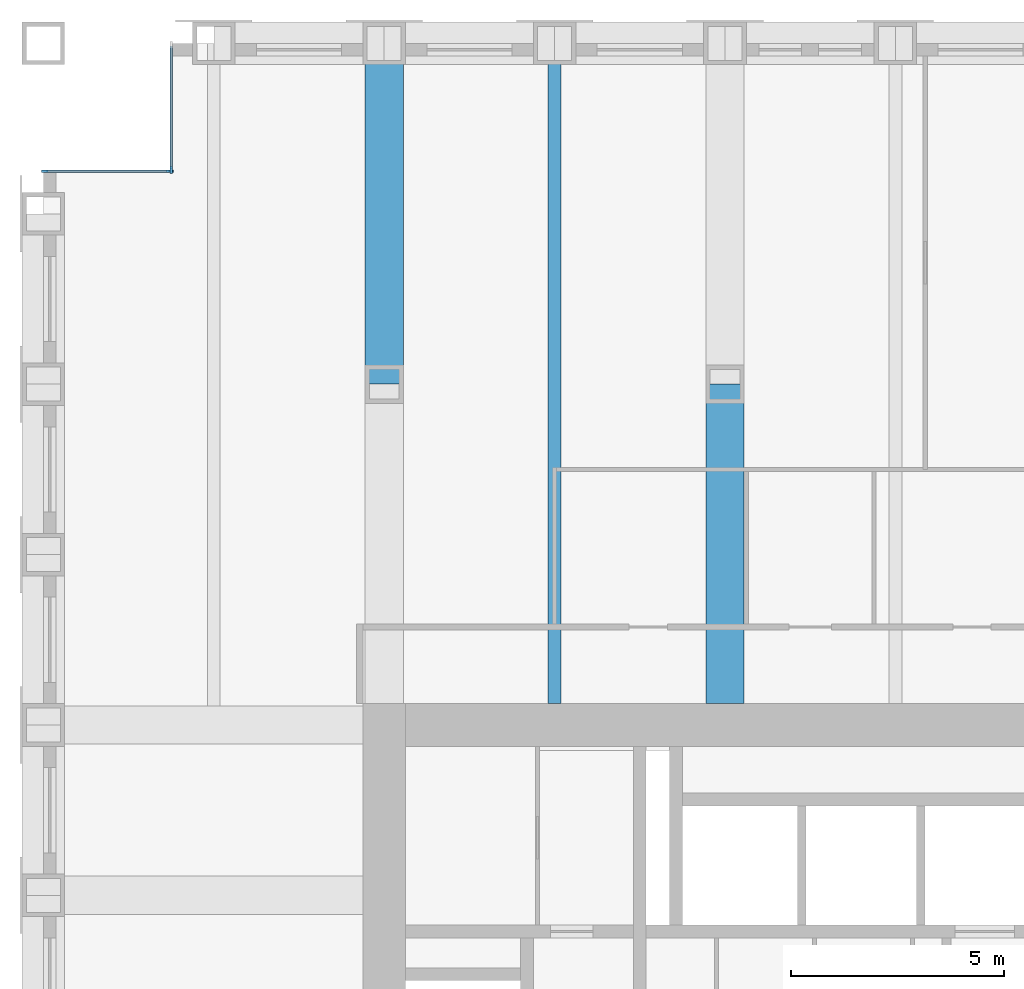
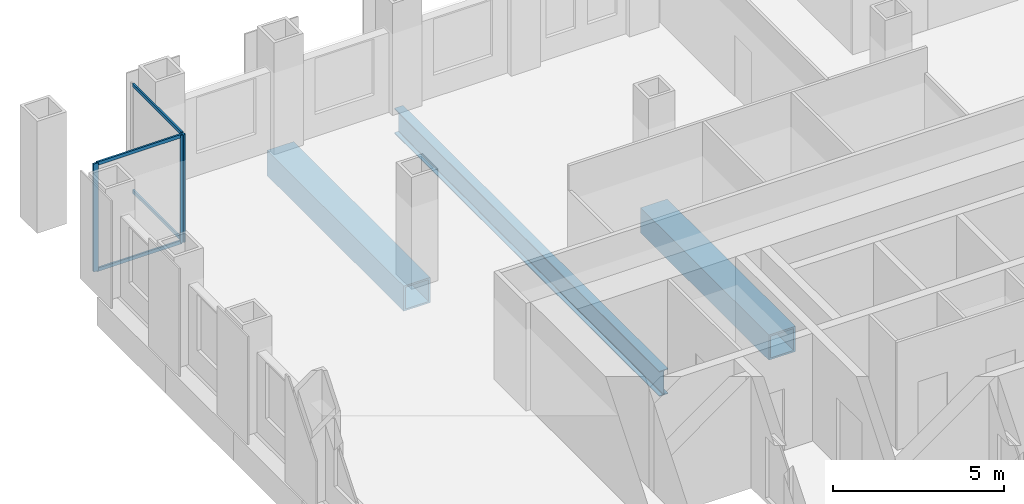
# One storey, part 6 of 15: 7 members, 3 beams, 2 elements without a shape of their own.
"""IFC4 building model written with IfcOpenShell, lengths in metres."""

from ifc_helpers import new_model, si_unit, direction, frame, origin, origin_2d, place, context, subcontext, project, spatial, rectangle, hollow_rectangle, i_section, extrude, material, material_profile, profile_set, type_object, element, aggregate, save


model = new_model("IFC4")

# Units and contexts
model_context = context("Model", 3, precision=1e-05, world=origin(), true_north=direction((0.0, 1.0)))
body_context = subcontext(model_context, "Body", "Model", "MODEL_VIEW")
ifc_project = project(units=[si_unit("LENGTHUNIT", "METRE"), si_unit("AREAUNIT", "SQUARE_METRE"), si_unit("VOLUMEUNIT", "CUBIC_METRE"), si_unit("PLANEANGLEUNIT", "RADIAN"), si_unit("MASSUNIT", "GRAM", prefix="KILO")], contexts=[model_context])

# Site, building, storey
site_placement = place(None, origin())
site = spatial("IfcSite", under=ifc_project, at=site_placement, CompositionType="ELEMENT")
building_placement = place(site_placement, origin())
building = spatial("IfcBuilding", under=site, at=building_placement, Name="Rimbunsela Tower", CompositionType="ELEMENT")
storey_placement = place(building_placement, frame((0.0, 0.0, 117.39990234375)))
storey = spatial("IfcBuildingStorey", under=building, at=storey_placement, Name="L28", CompositionType="ELEMENT", Elevation=117.39990234375)

# Beams
ifc_material_1 = material(Name="Steel BJ 55 (fy 410 MPa)", Category="steel")
ifc_material_profile_1 = material_profile(ifc_material_1, hollow_rectangle(XDim=0.89990234375, YDim=0.89990234375, WallThickness=0.06005859375, at=origin_2d()), Name="BOX 900x900x60")
ifc_profile_set_1 = profile_set([ifc_material_profile_1], Name="Steel BJ 55 (fy 410 MPa)")
beam_type_1 = type_object("IfcBeamType", Name="Beam BOX 900x900x60", PredefinedType="BEAM", material=ifc_profile_set_1)
beam_1_placement = place(storey_placement, frame((18.0, 44.0, -0.599853515625), z_axis=(0.0, 1.0, 0.0), x_axis=(-1.0, 0.0, 0.0)))
element("IfcBeam", 1, at=beam_1_placement, inside=storey, type_object=beam_type_1, Name="Beam B1 L28", PredefinedType="BEAM", context=body_context, shape_type="SweptSolid", body=[
    extrude(hollow_rectangle(XDim=0.89990234375, YDim=0.89990234375, WallThickness=0.06005859375, at=origin_2d()), origin(), (0.0, 0.0, 1.0), 8.0),
])
beam_2_placement = place(storey_placement, frame((26.0, 36.5, -0.599853515625), z_axis=(0.0, 1.0, 0.0), x_axis=(-1.0, 0.0, 0.0)))
element("IfcBeam", 2, at=beam_2_placement, inside=storey, type_object=beam_type_1, Name="Beam B1 L28", PredefinedType="BEAM", context=body_context, shape_type="SweptSolid", body=[
    extrude(hollow_rectangle(XDim=0.89990234375, YDim=0.89990234375, WallThickness=0.06005859375, at=origin_2d()), origin(), (0.0, 0.0, 1.0), 7.5),
])
ifc_material_2 = material(Name="Steel BJ 55 (fy 410 MPa)", Category="steel")
ifc_material_profile_2 = material_profile(ifc_material_2, i_section(OverallWidth=0.300048828125, OverallDepth=0.89990234375, WebThickness=0.01611328125, FlangeThickness=0.028076171875, FilletRadius=0.028076171875, at=origin_2d()), Name="H 900x300x16x28")
ifc_profile_set_2 = profile_set([ifc_material_profile_2], Name="Steel BJ 55 (fy 410 MPa)")
beam_type_2 = type_object("IfcBeamType", Name="Beam H 900x300x16x28", PredefinedType="BEAM", material=ifc_profile_set_2)
beam_3_placement = place(storey_placement, frame((22.0, 36.5, -0.599853515625), z_axis=(0.0, 1.0, 0.0), x_axis=(-1.0, 0.0, 0.0)))
element("IfcBeam", 3, at=beam_3_placement, inside=storey, type_object=beam_type_2, Name="Beam B2 L28", PredefinedType="BEAM", context=body_context, shape_type="SweptSolid", body=[
    extrude(i_section(OverallWidth=0.300048828125, OverallDepth=0.89990234375, WebThickness=0.01611328125, FlangeThickness=0.028076171875, FilletRadius=0.028076171875, at=origin_2d()), origin(), (0.0, 0.0, 1.0), 15.5),
])

# Curtain wall, member
ifc_material_3 = material(Name="Aluminium curtain wall", Category="aluminium")
curtain_wall_type = type_object("IfcCurtainWallType", Name="Corner glazing", PredefinedType="USERDEFINED", material=ifc_material_3)
curtain_wall_1_placement = place(storey_placement, origin())
curtain_wall_1 = element("IfcCurtainWall", 4, at=curtain_wall_1_placement, inside=storey, type_object=curtain_wall_type, Name="Corner glazing L28", ObjectType="CORNER GLAZING", PredefinedType="USERDEFINED")
ifc_material_4 = material(Name="Aluminium mullion", Category="aluminium")
ifc_material_profile_3 = material_profile(ifc_material_4, rectangle(XDim=0.06005859375, YDim=0.159912109375, at=origin_2d()), Name="Mullion 60x160")
ifc_profile_set_3 = profile_set([ifc_material_profile_3], Name="Aluminium mullion")
member_type_1 = type_object("IfcMemberType", Name="Curtain wall mullion 60x160", PredefinedType="MULLION", material=ifc_profile_set_3)
member_1_placement = place(storey_placement, frame((13.0, 49.030029296875, 0.0), z_axis=(0.0, 0.0, 1.0), x_axis=(1.0, 0.0, 0.0)))
member_1 = element("IfcMember", 5, at=member_1_placement, type_object=member_type_1, Name="CW5 mullion 2", PredefinedType="MULLION", context=body_context, shape_type="SweptSolid", body=[
    extrude(rectangle(XDim=0.06005859375, YDim=0.159912109375, at=origin_2d()), origin(), (0.0, 0.0, 1.0), 3.85009765625),
])

# Curtain wall, members
curtain_wall_2_placement = place(storey_placement, origin())
curtain_wall_2 = element("IfcCurtainWall", 6, at=curtain_wall_2_placement, inside=storey, type_object=curtain_wall_type, Name="Corner glazing L28", ObjectType="CORNER GLAZING", PredefinedType="USERDEFINED")
member_2_placement = place(storey_placement, frame((12.969970703125, 49.0, 0.0), z_axis=(0.0, 0.0, 1.0), x_axis=(0.0, -1.0, 0.0)))
member_2 = element("IfcMember", 7, at=member_2_placement, type_object=member_type_1, Name="CW5 mullion 1", PredefinedType="MULLION", context=body_context, shape_type="SweptSolid", body=[
    extrude(rectangle(XDim=0.06005859375, YDim=0.159912109375, at=origin_2d()), origin(), (0.0, 0.0, 1.0), 3.85009765625),
])
member_3_placement = place(storey_placement, frame((10.030029296875, 49.0, 0.0), z_axis=(0.0, 0.0, 1.0), x_axis=(0.0, -1.0, 0.0)))
member_3 = element("IfcMember", 8, at=member_3_placement, type_object=member_type_1, Name="CW5 mullion 2", PredefinedType="MULLION", context=body_context, shape_type="SweptSolid", body=[
    extrude(rectangle(XDim=0.06005859375, YDim=0.159912109375, at=origin_2d()), origin(), (0.0, 0.0, 1.0), 3.85009765625),
])

# Member
ifc_material_5 = material(Name="Aluminium transom", Category="aluminium")
ifc_material_profile_4 = material_profile(ifc_material_5, rectangle(XDim=0.06005859375, YDim=0.1201171875, at=origin_2d()), Name="Transom 60x120")
ifc_profile_set_4 = profile_set([ifc_material_profile_4], Name="Aluminium transom")
member_type_2 = type_object("IfcMemberType", Name="Curtain wall transom 60x120", PredefinedType="USERDEFINED", material=ifc_profile_set_4)
member_4_placement = place(storey_placement, frame((13.0, 51.93994140625, 0.030029296875), z_axis=(0.0, -1.0, 0.0), x_axis=(1.0, 0.0, 0.0)))
member_4 = element("IfcMember", 9, at=member_4_placement, type_object=member_type_2, Name="CW5 transom 1.1", ObjectType="TRANSOM", PredefinedType="USERDEFINED", context=body_context, shape_type="SweptSolid", body=[
    extrude(rectangle(XDim=0.06005859375, YDim=0.1201171875, at=origin_2d()), origin(), (0.0, 0.0, 1.0), 2.8798828125),
])

member_5_placement = place(storey_placement, frame((13.0, 51.93994140625, 3.820068359375), z_axis=(0.0, -1.0, 0.0), x_axis=(1.0, 0.0, 0.0)))
member_5 = element("IfcMember", 10, at=member_5_placement, type_object=member_type_2, Name="CW5 transom 1.2", ObjectType="TRANSOM", PredefinedType="USERDEFINED", context=body_context, shape_type="SweptSolid", body=[
    extrude(rectangle(XDim=0.06005859375, YDim=0.1201171875, at=origin_2d()), origin(), (0.0, 0.0, 1.0), 2.8798828125),
])

aggregate(curtain_wall_1, [member_1, member_4, member_5])

member_6_placement = place(storey_placement, frame((12.93994140625, 49.0, 0.030029296875), z_axis=(-1.0, 0.0, 0.0), x_axis=(0.0, -1.0, 0.0)))
member_6 = element("IfcMember", 11, at=member_6_placement, type_object=member_type_2, Name="CW5 transom 1.1", ObjectType="TRANSOM", PredefinedType="USERDEFINED", context=body_context, shape_type="SweptSolid", body=[
    extrude(rectangle(XDim=0.06005859375, YDim=0.1201171875, at=origin_2d()), origin(), (0.0, 0.0, 1.0), 2.8798828125),
])

member_7_placement = place(storey_placement, frame((12.93994140625, 49.0, 3.820068359375), z_axis=(-1.0, 0.0, 0.0), x_axis=(0.0, -1.0, 0.0)))
member_7 = element("IfcMember", 12, at=member_7_placement, type_object=member_type_2, Name="CW5 transom 1.2", ObjectType="TRANSOM", PredefinedType="USERDEFINED", context=body_context, shape_type="SweptSolid", body=[
    extrude(rectangle(XDim=0.06005859375, YDim=0.1201171875, at=origin_2d()), origin(), (0.0, 0.0, 1.0), 2.8798828125),
])

aggregate(curtain_wall_2, [member_2, member_3, member_6, member_7])

save(model, "model.ifc")
